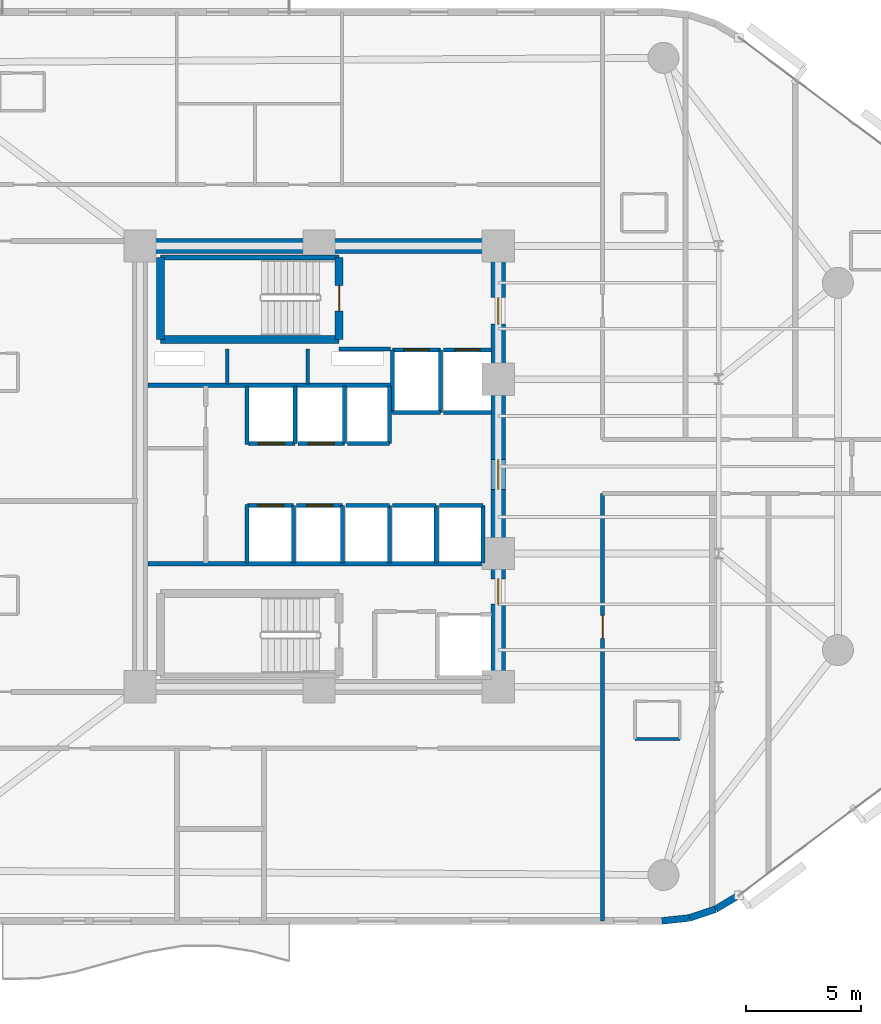
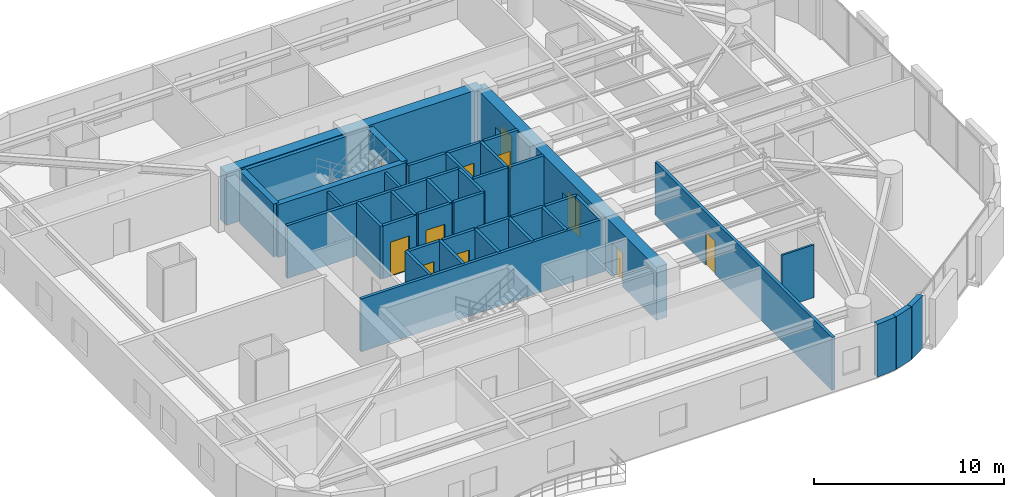
# One storey, part 11 of 16: 40 walls, 11 doors, 11 openings.
"""IFC4 building model written with IfcOpenShell, lengths in metres."""

from ifc_helpers import new_model, si_unit, direction, frame, frame_2d, origin, place, context, subcontext, project, spatial, rectangle, extrude, material, layer, layer_set, type_object, element, fill, save


model = new_model("IFC4")

# Units and contexts
model_context = context("Model", 3, precision=1e-05, world=origin(), true_north=direction((0.0, 1.0)))
body_context = subcontext(model_context, "Body", "Model", "MODEL_VIEW")
ifc_project = project(units=[si_unit("LENGTHUNIT", "METRE"), si_unit("AREAUNIT", "SQUARE_METRE"), si_unit("VOLUMEUNIT", "CUBIC_METRE"), si_unit("PLANEANGLEUNIT", "RADIAN"), si_unit("MASSUNIT", "GRAM", prefix="KILO")], contexts=[model_context])

# Site, building, storey
site_placement = place(None, origin())
site = spatial("IfcSite", under=ifc_project, at=site_placement, CompositionType="ELEMENT")
building_placement = place(site_placement, origin())
building = spatial("IfcBuilding", under=site, at=building_placement, Name="An Khanh Terracotta Commons", CompositionType="ELEMENT")
storey_placement = place(building_placement, frame((0.0, 0.0, 97.10009765625)))
storey = spatial("IfcBuildingStorey", under=building, at=storey_placement, Name="L25", CompositionType="ELEMENT", Elevation=97.10009765625)

# Wall
ifc_material_1 = material(Name="Concrete C60/75", Category="concrete")
ifc_layer_1 = layer(ifc_material_1, 0.64990234375, Name="Concrete C60/75")
ifc_layer_set_1 = layer_set([ifc_layer_1], Name="Concrete C60/75")
wall_type_1 = type_object("IfcWallType", Name="WALL-CORE-650", PredefinedType="SHEAR", material=ifc_layer_set_1)
wall_1_placement = place(storey_placement, frame((21.60009765625, 33.60009765625, 0.0), z_axis=(0.0, 0.0, 1.0), x_axis=(1.0, 0.0, 0.0)))
element("IfcWall", 1, at=wall_1_placement, inside=storey, type_object=wall_type_1, Name="L25 Core Wall CWALL-L25-N", PredefinedType="SHEAR", context=body_context, shape_type="SweptSolid", body=[
    extrude(rectangle(XDim=15.599853515625, YDim=0.64990234375, at=frame_2d((7.7998046875, 0.0))), origin(), (0.0, 0.0, 1.0), 3.39990234375),
])

# Wall, openings, doors
wall_2_placement = place(storey_placement, frame((37.199951171875, 14.39990234375, 0.0), z_axis=(0.0, 0.0, 1.0), x_axis=(0.0, 1.0, 0.0)))
wall_2 = element("IfcWall", 2, at=wall_2_placement, inside=storey, type_object=wall_type_1, Name="L25 Core Wall CWALL-L25-E", PredefinedType="SHEAR", context=body_context, shape_type="SweptSolid", body=[
    extrude(rectangle(XDim=19.2001953125, YDim=0.64990234375, at=frame_2d((9.60009765625, 0.0))), origin(), (0.0, 0.0, 1.0), 3.39990234375),
])
opening_1_placement = place(wall_2_placement, frame((15.800048828125, 0.0, 0.0)))
opening_1 = element("IfcOpeningElement", 3, at=opening_1_placement, cuts=wall_2, Name="Opening D-FFL", PredefinedType="OPENING", context=body_context, shape_type="SweptSolid", body=[
    extrude(rectangle(XDim=1.14990234375, YDim=2.14990234375, at=frame_2d((0.574951171875, 1.074951171875))), frame((0.0, 0.3349609375, 0.0), z_axis=(0.0, -1.0, 0.0), x_axis=(1.0, 0.0, 0.0)), (0.0, 0.0, 1.0), 0.669921875),
])
opening_2_placement = place(wall_2_placement, frame((3.60009765625, 0.0, 0.0)))
opening_2 = element("IfcOpeningElement", 4, at=opening_2_placement, cuts=wall_2, Name="Opening D-ST", PredefinedType="OPENING", context=body_context, shape_type="SweptSolid", body=[
    extrude(rectangle(XDim=1.10009765625, YDim=2.14990234375, at=frame_2d((0.550048828125, 1.074951171875))), frame((0.0, 0.3349609375, 0.0), z_axis=(0.0, -1.0, 0.0), x_axis=(1.0, 0.0, 0.0)), (0.0, 0.0, 1.0), 0.669921875),
])
opening_3_placement = place(wall_2_placement, frame((8.60009765625, 0.0, 0.0)))
opening_3 = element("IfcOpeningElement", 5, at=opening_3_placement, cuts=wall_2, Name="Opening D-COR", PredefinedType="OPENING", context=body_context, shape_type="SweptSolid", body=[
    extrude(rectangle(XDim=1.300048828125, YDim=2.199951171875, at=frame_2d((0.64990234375, 1.10009765625))), frame((0.0, 0.3349609375, 0.0), z_axis=(0.0, -1.0, 0.0), x_axis=(1.0, 0.0, 0.0)), (0.0, 0.0, 1.0), 0.669921875),
])
ifc_material_2 = material(Name="Fire-Rated Glazed Steel Double Door", Category="steel")
door_type_1 = type_object("IfcDoorType", Name="DOOR-CORR-1300", OperationType="NOTDEFINED", PredefinedType="DOOR", material=ifc_material_2)
door_1_placement = place(opening_3_placement, origin())
door_1 = element("IfcDoor", 6, at=door_1_placement, inside=storey, type_object=door_type_1, Name="L25 Passenger Lift Lobby Double Door", OperationType="DOUBLE_DOOR_SINGLE_SWING", OverallHeight=2.199951171875, OverallWidth=1.300048828125, PredefinedType="DOOR", context=body_context, shape_type="SweptSolid", body=[
    extrude(rectangle(XDim=1.300048828125, YDim=2.199951171875, at=frame_2d((0.64990234375, 1.10009765625))), frame((0.0, 0.02490234375, 0.0), z_axis=(0.0, -1.0, 0.0), x_axis=(1.0, 0.0, 0.0)), (0.0, 0.0, 1.0), 0.050048828125),
])
fill(opening_3, door_1)
ifc_material_3 = material(Name="Fire-Rated Steel Leaf and Vision Panel", Category="steel")
door_type_2 = type_object("IfcDoorType", Name="DOOR-FFL-1150", OperationType="NOTDEFINED", PredefinedType="DOOR", material=ifc_material_3)
door_2_placement = place(opening_1_placement, origin())
door_2 = element("IfcDoor", 7, at=door_2_placement, inside=storey, type_object=door_type_2, Name="L25 Firefighting Lift Lobby Fire Door", OperationType="SINGLE_SWING_RIGHT", OverallHeight=2.14990234375, OverallWidth=1.14990234375, PredefinedType="DOOR", context=body_context, shape_type="SweptSolid", body=[
    extrude(rectangle(XDim=1.14990234375, YDim=2.14990234375, at=frame_2d((0.574951171875, 1.074951171875))), frame((0.0, 0.02490234375, 0.0), z_axis=(0.0, -1.0, 0.0), x_axis=(1.0, 0.0, 0.0)), (0.0, 0.0, 1.0), 0.050048828125),
])
fill(opening_1, door_2)
ifc_material_4 = material(Name="Fire-Rated Steel Leaf and Frame", Category="steel")
door_type_3 = type_object("IfcDoorType", Name="DOOR-STAIR-1100", OperationType="NOTDEFINED", PredefinedType="DOOR", material=ifc_material_4)
door_3_placement = place(opening_2_placement, origin())
door_3 = element("IfcDoor", 8, at=door_3_placement, inside=storey, type_object=door_type_3, Name="L25 South Stair Lobby Fire Door", OperationType="SINGLE_SWING_LEFT", OverallHeight=2.14990234375, OverallWidth=1.10009765625, PredefinedType="DOOR", context=body_context, shape_type="SweptSolid", body=[
    extrude(rectangle(XDim=1.10009765625, YDim=2.14990234375, at=frame_2d((0.550048828125, 1.074951171875))), frame((0.0, 0.02490234375, 0.0), z_axis=(0.0, -1.0, 0.0), x_axis=(1.0, 0.0, 0.0)), (0.0, 0.0, 1.0), 0.050048828125),
])
fill(opening_2, door_3)

# Walls
ifc_material_5 = material(Name="Fire-Rated Gypsum Board on Steel Stud", Category="steel")
ifc_layer_2 = layer(ifc_material_5, 0.179931640625, Name="Fire-Rated Gypsum Board on Steel Stud")
ifc_layer_set_2 = layer_set([ifc_layer_2], Name="Fire-Rated Gypsum Board on Steel Stud")
wall_type_2 = type_object("IfcWallType", Name="WALL-CORR-180", PredefinedType="PARTITIONING", material=ifc_layer_set_2)
wall_3_placement = place(storey_placement, frame((30.27001953125, 29.1201171875, 0.0), z_axis=(0.0, 0.0, 1.0), x_axis=(1.0, 0.0, 0.0)))
element("IfcWall", 9, at=wall_3_placement, inside=storey, type_object=wall_type_2, Name="L25 Core Wall FFLW-L25-S", PredefinedType="PARTITIONING", context=body_context, shape_type="SweptSolid", body=[
    extrude(rectangle(XDim=2.239990234375, YDim=0.179931640625, at=frame_2d((1.1201171875, 0.0))), origin(), (0.0, 0.0, 1.0), 3.39990234375),
])
wall_4_placement = place(storey_placement, frame((21.949951171875, 27.5400390625, 0.0), z_axis=(0.0, 0.0, 1.0), x_axis=(1.0, 0.0, 0.0)))
element("IfcWall", 10, at=wall_4_placement, inside=storey, type_object=wall_type_2, Name="L25 Core Wall RSRW-L25-S", PredefinedType="PARTITIONING", context=body_context, shape_type="SweptSolid", body=[
    extrude(rectangle(XDim=10.56005859375, YDim=0.179931640625, at=frame_2d((5.280029296875, 0.0))), origin(), (0.0, 0.0, 1.0), 3.39990234375),
])
wall_5_placement = place(storey_placement, frame((21.949951171875, 19.760009765625, 0.0), z_axis=(0.0, 0.0, 1.0), x_axis=(1.0, 0.0, 0.0)))
element("IfcWall", 11, at=wall_5_placement, inside=storey, type_object=wall_type_2, Name="L25 Core Wall SVW-L25-N", PredefinedType="PARTITIONING", context=body_context, shape_type="SweptSolid", body=[
    extrude(rectangle(XDim=14.8701171875, YDim=0.179931640625, at=frame_2d((7.43505859375, 0.0))), origin(), (0.0, 0.0, 1.0), 3.39990234375),
])

# Wall, opening, door
wall_6_placement = place(storey_placement, frame((32.60009765625, 29.080078125, 0.0), z_axis=(0.0, 0.0, 1.0), x_axis=(1.0, 0.0, 0.0)))
wall_6 = element("IfcWall", 12, at=wall_6_placement, inside=storey, type_object=wall_type_2, Name="L25 Core Wall LSH-L25-FFL-01-N", PredefinedType="PARTITIONING", context=body_context, shape_type="SweptSolid", body=[
    extrude(rectangle(XDim=2.079833984375, YDim=0.179931640625, at=frame_2d((1.0400390625, 0.0))), origin(), (0.0, 0.0, 1.0), 3.39990234375),
])
opening_4_placement = place(wall_6_placement, frame((0.489990234375, 0.0, 0.0)))
opening_4 = element("IfcOpeningElement", 13, at=opening_4_placement, cuts=wall_6, Name="Opening LD-FFL-01-L25", PredefinedType="OPENING", context=body_context, shape_type="SweptSolid", body=[
    extrude(rectangle(XDim=1.10009765625, YDim=2.199951171875, at=frame_2d((0.550048828125, 1.10009765625))), frame((0.0, 0.099853515625, 0.0), z_axis=(0.0, -1.0, 0.0), x_axis=(1.0, 0.0, 0.0)), (0.0, 0.0, 1.0), 0.199951171875),
])
ifc_material_6 = material(Name="Brushed Stainless Steel Fire Landing Door", Category="steel")
door_type_4 = type_object("IfcDoorType", Name="DOOR-LD-FFL-1100", OperationType="NOTDEFINED", PredefinedType="DOOR", material=ifc_material_6)
door_4_placement = place(opening_4_placement, origin())
door_4 = element("IfcDoor", 14, at=door_4_placement, inside=storey, type_object=door_type_4, Name="L25 Lift FFL-01 Sliding Landing Door", OperationType="DOUBLE_DOOR_SLIDING", OverallHeight=2.199951171875, OverallWidth=1.10009765625, PredefinedType="DOOR", context=body_context, shape_type="SweptSolid", body=[
    extrude(rectangle(XDim=1.10009765625, YDim=2.199951171875, at=frame_2d((0.550048828125, 1.10009765625))), frame((0.0, 0.02490234375, 0.0), z_axis=(0.0, -1.0, 0.0), x_axis=(1.0, 0.0, 0.0)), (0.0, 0.0, 1.0), 0.050048828125),
])
fill(opening_4, door_4)

# Walls
wall_7_placement = place(storey_placement, frame((34.679931640625, 26.35009765625, 0.0), z_axis=(0.0, 0.0, 1.0), x_axis=(-1.0, 0.0, 0.0)))
element("IfcWall", 15, at=wall_7_placement, inside=storey, type_object=wall_type_2, Name="L25 Core Wall LSH-L25-FFL-01-S", PredefinedType="PARTITIONING", context=body_context, shape_type="SweptSolid", body=[
    extrude(rectangle(XDim=2.079833984375, YDim=0.179931640625, at=frame_2d((1.0400390625, 0.0))), origin(), (0.0, 0.0, 1.0), 3.39990234375),
])
for number, where, z_axis, x_axis, name in (
    (16, (34.679931640625, 26.35009765625, 0.0), (0.0, 0.0, 1.0), (0.0, 1.0, 0.0), "L25 Core Wall LSH-L25-FFL-01-E"),
    (17, (32.60009765625, 29.080078125, 0.0), (0.0, 0.0, 1.0), (0.0, -1.0, 0.0), "L25 Core Wall LSH-L25-FFL-01-W"),
):
    element("IfcWall", number, at=place(storey_placement, frame(where, z_axis=z_axis, x_axis=x_axis)), inside=storey, type_object=wall_type_2, Name=name, PredefinedType="PARTITIONING", context=body_context, shape_type="SweptSolid", body=[
        extrude(rectangle(XDim=2.72998046875, YDim=0.179931640625, at=frame_2d((1.364990234375, 0.0))), origin(), (0.0, 0.0, 1.0), 3.39990234375),
    ])

# Wall, opening, door
wall_8_placement = place(storey_placement, frame((34.820068359375, 29.080078125, 0.0), z_axis=(0.0, 0.0, 1.0), x_axis=(1.0, 0.0, 0.0)))
wall_8 = element("IfcWall", 18, at=wall_8_placement, inside=storey, type_object=wall_type_2, Name="L25 Core Wall LSH-L25-FFL-02-N", PredefinedType="PARTITIONING", context=body_context, shape_type="SweptSolid", body=[
    extrude(rectangle(XDim=2.079833984375, YDim=0.179931640625, at=frame_2d((1.0400390625, 0.0))), origin(), (0.0, 0.0, 1.0), 3.39990234375),
])
opening_5_placement = place(wall_8_placement, frame((0.489990234375, 0.0, 0.0)))
opening_5 = element("IfcOpeningElement", 19, at=opening_5_placement, cuts=wall_8, Name="Opening LD-FFL-02-L25", PredefinedType="OPENING", context=body_context, shape_type="SweptSolid", body=[
    extrude(rectangle(XDim=1.10009765625, YDim=2.199951171875, at=frame_2d((0.550048828125, 1.10009765625))), frame((0.0, 0.099853515625, 0.0), z_axis=(0.0, -1.0, 0.0), x_axis=(1.0, 0.0, 0.0)), (0.0, 0.0, 1.0), 0.199951171875),
])
door_5_placement = place(opening_5_placement, origin())
door_5 = element("IfcDoor", 20, at=door_5_placement, inside=storey, type_object=door_type_4, Name="L25 Lift FFL-02 Sliding Landing Door", OperationType="DOUBLE_DOOR_SLIDING", OverallHeight=2.199951171875, OverallWidth=1.10009765625, PredefinedType="DOOR", context=body_context, shape_type="SweptSolid", body=[
    extrude(rectangle(XDim=1.10009765625, YDim=2.199951171875, at=frame_2d((0.550048828125, 1.10009765625))), frame((0.0, 0.02490234375, 0.0), z_axis=(0.0, -1.0, 0.0), x_axis=(1.0, 0.0, 0.0)), (0.0, 0.0, 1.0), 0.050048828125),
])
fill(opening_5, door_5)

# Wall
wall_9_placement = place(storey_placement, frame((36.89990234375, 26.35009765625, 0.0), z_axis=(0.0, 0.0, 1.0), x_axis=(-1.0, 0.0, 0.0)))
element("IfcWall", 21, at=wall_9_placement, inside=storey, type_object=wall_type_2, Name="L25 Core Wall LSH-L25-FFL-02-S", PredefinedType="PARTITIONING", context=body_context, shape_type="SweptSolid", body=[
    extrude(rectangle(XDim=2.079833984375, YDim=0.179931640625, at=frame_2d((1.0400390625, 0.0))), origin(), (0.0, 0.0, 1.0), 3.39990234375),
])

# Wall, opening, door
wall_10_placement = place(storey_placement, frame((28.340087890625, 25.0, 0.0), z_axis=(0.0, 0.0, 1.0), x_axis=(-1.0, 0.0, 0.0)))
wall_10 = element("IfcWall", 22, at=wall_10_placement, inside=storey, type_object=wall_type_2, Name="L25 Core Wall LSH-L25-PL-M1-S", PredefinedType="PARTITIONING", context=body_context, shape_type="SweptSolid", body=[
    extrude(rectangle(XDim=2.02001953125, YDim=0.179931640625, at=frame_2d((1.010009765625, 0.0))), origin(), (0.0, 0.0, 1.0), 3.39990234375),
])
opening_6_placement = place(wall_10_placement, frame((0.43505859375, 0.0, 0.0)))
opening_6 = element("IfcOpeningElement", 23, at=opening_6_placement, cuts=wall_10, Name="Opening LD-PL-M1-L25", PredefinedType="OPENING", context=body_context, shape_type="SweptSolid", body=[
    extrude(rectangle(XDim=1.14990234375, YDim=2.199951171875, at=frame_2d((0.574951171875, 1.10009765625))), frame((0.0, 0.099853515625, 0.0), z_axis=(0.0, -1.0, 0.0), x_axis=(1.0, 0.0, 0.0)), (0.0, 0.0, 1.0), 0.199951171875),
])
ifc_material_7 = material(Name="Brushed Stainless Steel Passenger Landing Door", Category="steel")
door_type_5 = type_object("IfcDoorType", Name="DOOR-LD-PAX-1150", OperationType="NOTDEFINED", PredefinedType="DOOR", material=ifc_material_7)
door_6_placement = place(opening_6_placement, origin())
door_6 = element("IfcDoor", 24, at=door_6_placement, inside=storey, type_object=door_type_5, Name="L25 Lift PL-M1 Sliding Landing Door", OperationType="DOUBLE_DOOR_SLIDING", OverallHeight=2.199951171875, OverallWidth=1.14990234375, PredefinedType="DOOR", context=body_context, shape_type="SweptSolid", body=[
    extrude(rectangle(XDim=1.14990234375, YDim=2.199951171875, at=frame_2d((0.574951171875, 1.10009765625))), frame((0.0, 0.02490234375, 0.0), z_axis=(0.0, -1.0, 0.0), x_axis=(1.0, 0.0, 0.0)), (0.0, 0.0, 1.0), 0.050048828125),
])
fill(opening_6, door_6)

# Wall
wall_11_placement = place(storey_placement, frame((28.340087890625, 25.0, 0.0), z_axis=(0.0, 0.0, 1.0), x_axis=(0.0, 1.0, 0.0)))
element("IfcWall", 25, at=wall_11_placement, inside=storey, type_object=wall_type_2, Name="L25 Core Wall LSH-L25-PL-M1-E", PredefinedType="PARTITIONING", context=body_context, shape_type="SweptSolid", body=[
    extrude(rectangle(XDim=2.5, YDim=0.179931640625, at=frame_2d((1.25, 0.0))), origin(), (0.0, 0.0, 1.0), 3.39990234375),
])

# Wall, opening, door
wall_12_placement = place(storey_placement, frame((30.5, 25.0, 0.0), z_axis=(0.0, 0.0, 1.0), x_axis=(-1.0, 0.0, 0.0)))
wall_12 = element("IfcWall", 26, at=wall_12_placement, inside=storey, type_object=wall_type_2, Name="L25 Core Wall LSH-L25-PL-M2-S", PredefinedType="PARTITIONING", context=body_context, shape_type="SweptSolid", body=[
    extrude(rectangle(XDim=2.02001953125, YDim=0.179931640625, at=frame_2d((1.010009765625, 0.0))), origin(), (0.0, 0.0, 1.0), 3.39990234375),
])
opening_7_placement = place(wall_12_placement, frame((0.43505859375, 0.0, 0.0)))
opening_7 = element("IfcOpeningElement", 27, at=opening_7_placement, cuts=wall_12, Name="Opening LD-PL-M2-L25", PredefinedType="OPENING", context=body_context, shape_type="SweptSolid", body=[
    extrude(rectangle(XDim=1.14990234375, YDim=2.199951171875, at=frame_2d((0.574951171875, 1.10009765625))), frame((0.0, 0.099853515625, 0.0), z_axis=(0.0, -1.0, 0.0), x_axis=(1.0, 0.0, 0.0)), (0.0, 0.0, 1.0), 0.199951171875),
])
door_7_placement = place(opening_7_placement, origin())
door_7 = element("IfcDoor", 28, at=door_7_placement, inside=storey, type_object=door_type_5, Name="L25 Lift PL-M2 Sliding Landing Door", OperationType="DOUBLE_DOOR_SLIDING", OverallHeight=2.199951171875, OverallWidth=1.14990234375, PredefinedType="DOOR", context=body_context, shape_type="SweptSolid", body=[
    extrude(rectangle(XDim=1.14990234375, YDim=2.199951171875, at=frame_2d((0.574951171875, 1.10009765625))), frame((0.0, 0.02490234375, 0.0), z_axis=(0.0, -1.0, 0.0), x_axis=(1.0, 0.0, 0.0)), (0.0, 0.0, 1.0), 0.050048828125),
])
fill(opening_7, door_7)

# Wall
wall_13_placement = place(storey_placement, frame((30.5, 25.0, 0.0), z_axis=(0.0, 0.0, 1.0), x_axis=(0.0, 1.0, 0.0)))
element("IfcWall", 29, at=wall_13_placement, inside=storey, type_object=wall_type_2, Name="L25 Core Wall LSH-L25-PL-M2-E", PredefinedType="PARTITIONING", context=body_context, shape_type="SweptSolid", body=[
    extrude(rectangle(XDim=2.5, YDim=0.179931640625, at=frame_2d((1.25, 0.0))), origin(), (0.0, 0.0, 1.0), 3.39990234375),
])

# Wall, opening, door
wall_14_placement = place(storey_placement, frame((26.280029296875, 22.300048828125, 0.0), z_axis=(0.0, 0.0, 1.0), x_axis=(1.0, 0.0, 0.0)))
wall_14 = element("IfcWall", 30, at=wall_14_placement, inside=storey, type_object=wall_type_2, Name="L25 Core Wall LSH-L25-PL-M3-N", PredefinedType="PARTITIONING", context=body_context, shape_type="SweptSolid", body=[
    extrude(rectangle(XDim=2.0, YDim=0.179931640625, at=frame_2d((1.0, 0.0))), origin(), (0.0, 0.0, 1.0), 3.39990234375),
])
opening_8_placement = place(wall_14_placement, frame((0.425048828125, 0.0, 0.0)))
opening_8 = element("IfcOpeningElement", 31, at=opening_8_placement, cuts=wall_14, Name="Opening LD-PL-M3-L25", PredefinedType="OPENING", context=body_context, shape_type="SweptSolid", body=[
    extrude(rectangle(XDim=1.14990234375, YDim=2.199951171875, at=frame_2d((0.574951171875, 1.10009765625))), frame((0.0, 0.099853515625, 0.0), z_axis=(0.0, -1.0, 0.0), x_axis=(1.0, 0.0, 0.0)), (0.0, 0.0, 1.0), 0.199951171875),
])
door_8_placement = place(opening_8_placement, origin())
door_8 = element("IfcDoor", 32, at=door_8_placement, inside=storey, type_object=door_type_5, Name="L25 Lift PL-M3 Sliding Landing Door", OperationType="DOUBLE_DOOR_SLIDING", OverallHeight=2.199951171875, OverallWidth=1.14990234375, PredefinedType="DOOR", context=body_context, shape_type="SweptSolid", body=[
    extrude(rectangle(XDim=1.14990234375, YDim=2.199951171875, at=frame_2d((0.574951171875, 1.10009765625))), frame((0.0, 0.02490234375, 0.0), z_axis=(0.0, -1.0, 0.0), x_axis=(1.0, 0.0, 0.0)), (0.0, 0.0, 1.0), 0.050048828125),
])
fill(opening_8, door_8)

# Wall
wall_15_placement = place(storey_placement, frame((28.280029296875, 19.800048828125, 0.0), z_axis=(0.0, 0.0, 1.0), x_axis=(0.0, 1.0, 0.0)))
element("IfcWall", 33, at=wall_15_placement, inside=storey, type_object=wall_type_2, Name="L25 Core Wall LSH-L25-PL-M3-E", PredefinedType="PARTITIONING", context=body_context, shape_type="SweptSolid", body=[
    extrude(rectangle(XDim=2.5, YDim=0.179931640625, at=frame_2d((1.25, 0.0))), origin(), (0.0, 0.0, 1.0), 3.39990234375),
])

# Wall, opening, door
wall_16_placement = place(storey_placement, frame((28.419921875, 22.300048828125, 0.0), z_axis=(0.0, 0.0, 1.0), x_axis=(1.0, 0.0, 0.0)))
wall_16 = element("IfcWall", 34, at=wall_16_placement, inside=storey, type_object=wall_type_2, Name="L25 Core Wall LSH-L25-PL-M4-N", PredefinedType="PARTITIONING", context=body_context, shape_type="SweptSolid", body=[
    extrude(rectangle(XDim=2.0, YDim=0.179931640625, at=frame_2d((1.0, 0.0))), origin(), (0.0, 0.0, 1.0), 3.39990234375),
])
opening_9_placement = place(wall_16_placement, frame((0.425048828125, 0.0, 0.0)))
opening_9 = element("IfcOpeningElement", 35, at=opening_9_placement, cuts=wall_16, Name="Opening LD-PL-M4-L25", PredefinedType="OPENING", context=body_context, shape_type="SweptSolid", body=[
    extrude(rectangle(XDim=1.14990234375, YDim=2.199951171875, at=frame_2d((0.574951171875, 1.10009765625))), frame((0.0, 0.099853515625, 0.0), z_axis=(0.0, -1.0, 0.0), x_axis=(1.0, 0.0, 0.0)), (0.0, 0.0, 1.0), 0.199951171875),
])
door_9_placement = place(opening_9_placement, origin())
door_9 = element("IfcDoor", 36, at=door_9_placement, inside=storey, type_object=door_type_5, Name="L25 Lift PL-M4 Sliding Landing Door", OperationType="DOUBLE_DOOR_SLIDING", OverallHeight=2.199951171875, OverallWidth=1.14990234375, PredefinedType="DOOR", context=body_context, shape_type="SweptSolid", body=[
    extrude(rectangle(XDim=1.14990234375, YDim=2.199951171875, at=frame_2d((0.574951171875, 1.10009765625))), frame((0.0, 0.02490234375, 0.0), z_axis=(0.0, -1.0, 0.0), x_axis=(1.0, 0.0, 0.0)), (0.0, 0.0, 1.0), 0.050048828125),
])
fill(opening_9, door_9)

# Walls
wall_17_placement = place(storey_placement, frame((30.419921875, 19.800048828125, 0.0), z_axis=(0.0, 0.0, 1.0), x_axis=(0.0, 1.0, 0.0)))
element("IfcWall", 37, at=wall_17_placement, inside=storey, type_object=wall_type_2, Name="L25 Core Wall LSH-L25-PL-M4-E", PredefinedType="PARTITIONING", context=body_context, shape_type="SweptSolid", body=[
    extrude(rectangle(XDim=2.5, YDim=0.179931640625, at=frame_2d((1.25, 0.0))), origin(), (0.0, 0.0, 1.0), 3.39990234375),
])
wall_18_placement = place(storey_placement, frame((32.4599609375, 25.0, 0.0), z_axis=(0.0, 0.0, 1.0), x_axis=(-1.0, 0.0, 0.0)))
element("IfcWall", 38, at=wall_18_placement, inside=storey, type_object=wall_type_2, Name="L25 Core Wall LSH-L25-PL-H1-S", PredefinedType="PARTITIONING", context=body_context, shape_type="SweptSolid", body=[
    extrude(rectangle(XDim=1.820068359375, YDim=0.179931640625, at=frame_2d((0.91015625, 0.0))), origin(), (0.0, 0.0, 1.0), 3.39990234375),
])
wall_19_placement = place(storey_placement, frame((32.4599609375, 25.0, 0.0), z_axis=(0.0, 0.0, 1.0), x_axis=(0.0, 1.0, 0.0)))
element("IfcWall", 39, at=wall_19_placement, inside=storey, type_object=wall_type_2, Name="L25 Core Wall LSH-L25-PL-H1-E", PredefinedType="PARTITIONING", context=body_context, shape_type="SweptSolid", body=[
    extrude(rectangle(XDim=2.5, YDim=0.179931640625, at=frame_2d((1.25, 0.0))), origin(), (0.0, 0.0, 1.0), 3.39990234375),
])
wall_20_placement = place(storey_placement, frame((30.56005859375, 22.300048828125, 0.0), z_axis=(0.0, 0.0, 1.0), x_axis=(1.0, 0.0, 0.0)))
element("IfcWall", 40, at=wall_20_placement, inside=storey, type_object=wall_type_2, Name="L25 Core Wall LSH-L25-PL-H2-N", PredefinedType="PARTITIONING", context=body_context, shape_type="SweptSolid", body=[
    extrude(rectangle(XDim=1.89990234375, YDim=0.179931640625, at=frame_2d((0.949951171875, 0.0))), origin(), (0.0, 0.0, 1.0), 3.39990234375),
])
wall_21_placement = place(storey_placement, frame((32.4599609375, 19.800048828125, 0.0), z_axis=(0.0, 0.0, 1.0), x_axis=(0.0, 1.0, 0.0)))
element("IfcWall", 41, at=wall_21_placement, inside=storey, type_object=wall_type_2, Name="L25 Core Wall LSH-L25-PL-H2-E", PredefinedType="PARTITIONING", context=body_context, shape_type="SweptSolid", body=[
    extrude(rectangle(XDim=2.5, YDim=0.179931640625, at=frame_2d((1.25, 0.0))), origin(), (0.0, 0.0, 1.0), 3.39990234375),
])
wall_22_placement = place(storey_placement, frame((32.60009765625, 22.300048828125, 0.0), z_axis=(0.0, 0.0, 1.0), x_axis=(1.0, 0.0, 0.0)))
element("IfcWall", 42, at=wall_22_placement, inside=storey, type_object=wall_type_2, Name="L25 Core Wall LSH-L25-PL-H3-N", PredefinedType="PARTITIONING", context=body_context, shape_type="SweptSolid", body=[
    extrude(rectangle(XDim=1.89990234375, YDim=0.179931640625, at=frame_2d((0.949951171875, 0.0))), origin(), (0.0, 0.0, 1.0), 3.39990234375),
])
wall_23_placement = place(storey_placement, frame((34.5, 19.800048828125, 0.0), z_axis=(0.0, 0.0, 1.0), x_axis=(0.0, 1.0, 0.0)))
element("IfcWall", 43, at=wall_23_placement, inside=storey, type_object=wall_type_2, Name="L25 Core Wall LSH-L25-PL-H3-E", PredefinedType="PARTITIONING", context=body_context, shape_type="SweptSolid", body=[
    extrude(rectangle(XDim=2.5, YDim=0.179931640625, at=frame_2d((1.25, 0.0))), origin(), (0.0, 0.0, 1.0), 3.39990234375),
])
wall_24_placement = place(storey_placement, frame((34.639892578125, 22.300048828125, 0.0), z_axis=(0.0, 0.0, 1.0), x_axis=(1.0, 0.0, 0.0)))
element("IfcWall", 44, at=wall_24_placement, inside=storey, type_object=wall_type_2, Name="L25 Core Wall LSH-L25-PL-H4-N", PredefinedType="PARTITIONING", context=body_context, shape_type="SweptSolid", body=[
    extrude(rectangle(XDim=1.900146484375, YDim=0.179931640625, at=frame_2d((0.9501953125, 0.0))), origin(), (0.0, 0.0, 1.0), 3.39990234375),
])
wall_25_placement = place(storey_placement, frame((36.5400390625, 19.800048828125, 0.0), z_axis=(0.0, 0.0, 1.0), x_axis=(0.0, 1.0, 0.0)))
element("IfcWall", 45, at=wall_25_placement, inside=storey, type_object=wall_type_2, Name="L25 Core Wall LSH-L25-PL-H4-E", PredefinedType="PARTITIONING", context=body_context, shape_type="SweptSolid", body=[
    extrude(rectangle(XDim=2.5, YDim=0.179931640625, at=frame_2d((1.25, 0.0))), origin(), (0.0, 0.0, 1.0), 3.39990234375),
])
for number, where, z_axis, x_axis, name in (
    (46, (26.25, 24.949951171875, 0.0), (0.0, 0.0, 1.0), (0.0, 1.0, 0.0), "L25 Core Wall RECW-L25-BE1"),
    (47, (26.25, 19.800048828125, 0.0), (0.0, 0.0, 1.0), (0.0, 1.0, 0.0), "L25 Core Wall RECW-L25-BE2"),
):
    element("IfcWall", number, at=place(storey_placement, frame(where, z_axis=z_axis, x_axis=x_axis)), inside=storey, type_object=wall_type_2, Name=name, PredefinedType="PARTITIONING", context=body_context, shape_type="SweptSolid", body=[
        extrude(rectangle(XDim=2.550048828125, YDim=0.179931640625, at=frame_2d((1.27490234375, 0.0))), origin(), (0.0, 0.0, 1.0), 3.39990234375),
    ])

# Wall, opening, door
wall_26_placement = place(storey_placement, frame((41.75, 4.199951171875, 0.0), z_axis=(0.0, 0.0, 1.0), x_axis=(0.0, 1.0, 0.0)))
wall_26 = element("IfcWall", 48, at=wall_26_placement, inside=storey, type_object=wall_type_2, Name="L25 Interior Partition IW-L25-E018", PredefinedType="PARTITIONING", context=body_context, shape_type="SweptSolid", body=[
    extrude(rectangle(XDim=18.6201171875, YDim=0.179931640625, at=frame_2d((9.31005859375, 0.0))), origin(), (0.0, 0.0, 1.0), 3.39990234375),
])
opening_10_placement = place(wall_26_placement, frame((12.31005859375, 0.0, 0.0)))
opening_10 = element("IfcOpeningElement", 49, at=opening_10_placement, cuts=wall_26, Name="Opening D-UN", PredefinedType="OPENING", context=body_context, shape_type="SweptSolid", body=[
    extrude(rectangle(XDim=1.0, YDim=2.14990234375, at=frame_2d((0.5, 1.074951171875))), frame((0.0, 0.099853515625, 0.0), z_axis=(0.0, -1.0, 0.0), x_axis=(1.0, 0.0, 0.0)), (0.0, 0.0, 1.0), 0.199951171875),
])
ifc_material_8 = material(Name="Solid-Core Hardwood Acoustic Fire Door", Category="wood")
door_type_6 = type_object("IfcDoorType", Name="DOOR-UNIT-1000", OperationType="NOTDEFINED", PredefinedType="DOOR", material=ifc_material_8)
door_10_placement = place(opening_10_placement, origin())
door_10 = element("IfcDoor", 50, at=door_10_placement, inside=storey, type_object=door_type_6, Name="L25 SB1 Kitchenette and Studio Apartment Door", OperationType="SINGLE_SWING_LEFT", OverallHeight=2.14990234375, OverallWidth=1.0, PredefinedType="DOOR", context=body_context, shape_type="SweptSolid", body=[
    extrude(rectangle(XDim=1.0, YDim=2.14990234375, at=frame_2d((0.5, 1.074951171875))), frame((0.0, 0.02490234375, 0.0), z_axis=(0.0, -1.0, 0.0), x_axis=(1.0, 0.0, 0.0)), (0.0, 0.0, 1.0), 0.050048828125),
])
fill(opening_10, door_10)

# Walls
ifc_material_9 = material(Name="Precast concrete C40/50", Category="concrete")
ifc_layer_3 = layer(ifc_material_9, 0.300048828125, Name="Precast concrete C40/50")
ifc_layer_set_3 = layer_set([ifc_layer_3], Name="Precast concrete C40/50")
wall_type_3 = type_object("IfcWallType", Name="WALL-EXT-300", PredefinedType="SOLIDWALL", material=ifc_layer_set_3)
wall_27_placement = place(storey_placement, frame((44.3330078125, 4.199951171875, 0.0), z_axis=(0.0, 0.0, 1.0), x_axis=(0.994289103787, 0.106720092254, 0.0)))
element("IfcWall", 51, at=wall_27_placement, inside=storey, type_object=wall_type_3, Name="L25 Insulated Terracotta Exterior Wall 5", PredefinedType="SOLIDWALL", context=body_context, shape_type="SweptSolid", body=[
    extrude(rectangle(XDim=1.19873046875, YDim=0.300048828125, at=frame_2d((0.599365234375, 0.0))), origin(), (0.0, 0.0, 1.0), 3.39990234375),
])
wall_28_placement = place(storey_placement, frame((45.52490234375, 4.327880859375, 0.0), z_axis=(0.0, 0.0, 1.0), x_axis=(0.948744332129, 0.316044604847, 0.0)))
element("IfcWall", 52, at=wall_28_placement, inside=storey, type_object=wall_type_3, Name="L25 Insulated Terracotta Exterior Wall 6", PredefinedType="SOLIDWALL", context=body_context, shape_type="SweptSolid", body=[
    extrude(rectangle(XDim=1.19970703125, YDim=0.300048828125, at=frame_2d((0.599853515625, 0.0))), origin(), (0.0, 0.0, 1.0), 3.39990234375),
])
wall_29_placement = place(storey_placement, frame((46.6630859375, 4.70703125, 0.0), z_axis=(0.0, 0.0, 1.0), x_axis=(0.859320591642, 0.511437308749, 0.0)))
element("IfcWall", 53, at=wall_29_placement, inside=storey, type_object=wall_type_3, Name="L25 Insulated Terracotta Exterior Wall 7", PredefinedType="SOLIDWALL", context=body_context, shape_type="SweptSolid", body=[
    extrude(rectangle(XDim=1.19873046875, YDim=0.300048828125, at=frame_2d((0.599365234375, 0.0))), origin(), (0.0, 0.0, 1.0), 3.39990234375),
])
ifc_material_10 = material(Name="Acoustic Gypsum Board Partition")
ifc_layer_4 = layer(ifc_material_10, 0.14990234375, Name="Acoustic Gypsum Board Partition")
ifc_layer_set_4 = layer_set([ifc_layer_4], Name="Acoustic Gypsum Board Partition")
wall_type_4 = type_object("IfcWallType", Name="WALL-PART-150", PredefinedType="PARTITIONING", material=ifc_layer_set_4)
for number, where, z_axis, x_axis, name in (
    (54, (25.39990234375, 27.60009765625, 0.0), (0.0, 0.0, 1.0), (0.0, 1.0, 0.0), "L25 Core Wall RSRW-L25-D1"),
    (55, (28.89990234375, 27.60009765625, 0.0), (0.0, 0.0, 1.0), (0.0, 1.0, 0.0), "L25 Core Wall RSRW-L25-D2"),
):
    element("IfcWall", number, at=place(storey_placement, frame(where, z_axis=z_axis, x_axis=x_axis)), inside=storey, type_object=wall_type_4, Name=name, PredefinedType="PARTITIONING", context=body_context, shape_type="SweptSolid", body=[
        extrude(rectangle(XDim=1.52001953125, YDim=0.14990234375, at=frame_2d((0.760009765625, 0.0))), origin(), (0.0, 0.0, 1.0), 3.39990234375),
    ])
ifc_material_11 = material(Name="Acoustic Double-Stud Gypsum and Mineral Wool")
ifc_layer_5 = layer(ifc_material_11, 0.219970703125, Name="Acoustic Double-Stud Gypsum and Mineral Wool")
ifc_layer_set_5 = layer_set([ifc_layer_5], Name="Acoustic Double-Stud Gypsum and Mineral Wool")
wall_type_5 = type_object("IfcWallType", Name="WALL-PARTY-220", PredefinedType="PARTITIONING", material=ifc_layer_set_5)
wall_30_placement = place(storey_placement, frame((22.47998046875, 33.110107421875, 0.0), z_axis=(0.0, 0.0, 1.0), x_axis=(1.0, 0.0, 0.0)))
element("IfcWall", 56, at=wall_30_placement, inside=storey, type_object=wall_type_5, Name="L25 Core Wall STW-L25-N-N", PredefinedType="PARTITIONING", context=body_context, shape_type="SweptSolid", body=[
    extrude(rectangle(XDim=7.7900390625, YDim=0.219970703125, at=frame_2d((3.89501953125, 0.0))), origin(), (0.0, 0.0, 1.0), 3.39990234375),
])
ifc_material_12 = material(Name="Concrete C50/60", Category="concrete")
ifc_layer_6 = layer(ifc_material_12, 0.35009765625, Name="Concrete C50/60")
ifc_layer_set_6 = layer_set([ifc_layer_6], Name="Concrete C50/60")
wall_type_6 = type_object("IfcWallType", Name="WALL-SHAFT-350", PredefinedType="SOLIDWALL", material=ifc_layer_set_6)
wall_31_placement = place(storey_placement, frame((22.47998046875, 29.530029296875, 0.0), z_axis=(0.0, 0.0, 1.0), x_axis=(1.0, 0.0, 0.0)))
element("IfcWall", 57, at=wall_31_placement, inside=storey, type_object=wall_type_6, Name="L25 Core Wall STW-L25-N-S", PredefinedType="SOLIDWALL", context=body_context, shape_type="SweptSolid", body=[
    extrude(rectangle(XDim=7.7900390625, YDim=0.35009765625, at=frame_2d((3.89501953125, 0.0))), origin(), (0.0, 0.0, 1.0), 3.39990234375),
])
wall_32_placement = place(storey_placement, frame((22.47998046875, 29.530029296875, 0.0), z_axis=(0.0, 0.0, 1.0), x_axis=(0.0, 1.0, 0.0)))
element("IfcWall", 58, at=wall_32_placement, inside=storey, type_object=wall_type_6, Name="L25 Core Wall STW-L25-N-W", PredefinedType="SOLIDWALL", context=body_context, shape_type="SweptSolid", body=[
    extrude(rectangle(XDim=3.580078125, YDim=0.35009765625, at=frame_2d((1.7900390625, 0.0))), origin(), (0.0, 0.0, 1.0), 3.39990234375),
])

# Wall, opening, door
wall_33_placement = place(storey_placement, frame((30.27001953125, 29.530029296875, 0.0), z_axis=(0.0, 0.0, 1.0), x_axis=(0.0, 1.0, 0.0)))
wall_33 = element("IfcWall", 59, at=wall_33_placement, inside=storey, type_object=wall_type_6, Name="L25 Core Wall STW-L25-N-E", PredefinedType="SOLIDWALL", context=body_context, shape_type="SweptSolid", body=[
    extrude(rectangle(XDim=3.580078125, YDim=0.35009765625, at=frame_2d((1.7900390625, 0.0))), origin(), (0.0, 0.0, 1.0), 3.39990234375),
])
opening_11_placement = place(wall_33_placement, frame((1.25, 0.0, 0.0)))
opening_11 = element("IfcOpeningElement", 60, at=opening_11_placement, cuts=wall_33, Name="Opening D-ST", PredefinedType="OPENING", context=body_context, shape_type="SweptSolid", body=[
    extrude(rectangle(XDim=1.10009765625, YDim=2.14990234375, at=frame_2d((0.550048828125, 1.074951171875))), frame((0.0, 0.18505859375, 0.0), z_axis=(0.0, -1.0, 0.0), x_axis=(1.0, 0.0, 0.0)), (0.0, 0.0, 1.0), 0.3701171875),
])
door_11_placement = place(opening_11_placement, origin())
door_11 = element("IfcDoor", 61, at=door_11_placement, inside=storey, type_object=door_type_3, Name="L25 Stair ST-01 Fire Door", OperationType="SINGLE_SWING_RIGHT", OverallHeight=2.14990234375, OverallWidth=1.10009765625, PredefinedType="DOOR", context=body_context, shape_type="SweptSolid", body=[
    extrude(rectangle(XDim=1.10009765625, YDim=2.14990234375, at=frame_2d((0.550048828125, 1.074951171875))), frame((0.0, 0.02490234375, 0.0), z_axis=(0.0, -1.0, 0.0), x_axis=(1.0, 0.0, 0.0)), (0.0, 0.0, 1.0), 0.050048828125),
])
fill(opening_11, door_11)

# Wall
ifc_material_13 = material(Name="Moisture-Resistant Cement Board Partition")
ifc_layer_7 = layer(ifc_material_13, 0.1201171875, Name="Moisture-Resistant Cement Board Partition")
ifc_layer_set_7 = layer_set([ifc_layer_7], Name="Moisture-Resistant Cement Board Partition")
wall_type_7 = type_object("IfcWallType", Name="WALL-WET-120", PredefinedType="PARTITIONING", material=ifc_layer_set_7)
wall_34_placement = place(storey_placement, frame((45.112060546875, 12.125, 0.0), z_axis=(0.0, 0.0, 1.0), x_axis=(-1.0, 0.0, 0.0)))
element("IfcWall", 62, at=wall_34_placement, inside=storey, type_object=wall_type_7, Name="L25 Interior Partition IW-L25-SB1-BS", PredefinedType="PARTITIONING", context=body_context, shape_type="SweptSolid", body=[
    extrude(rectangle(XDim=1.949951171875, YDim=0.1201171875, at=frame_2d((0.97509765625, 0.0))), origin(), (0.0, 0.0, 1.0), 3.39990234375),
])

save(model, "model.ifc")
